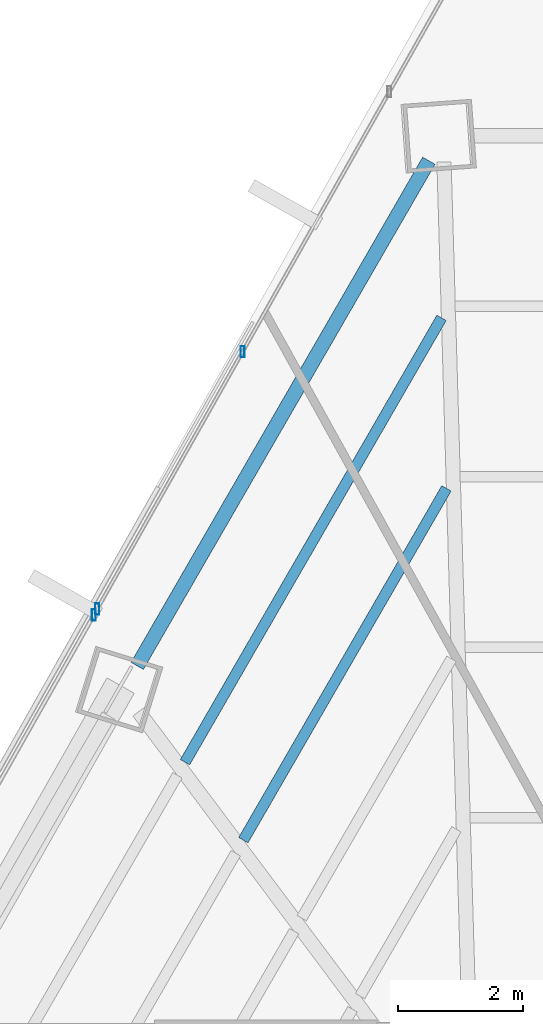
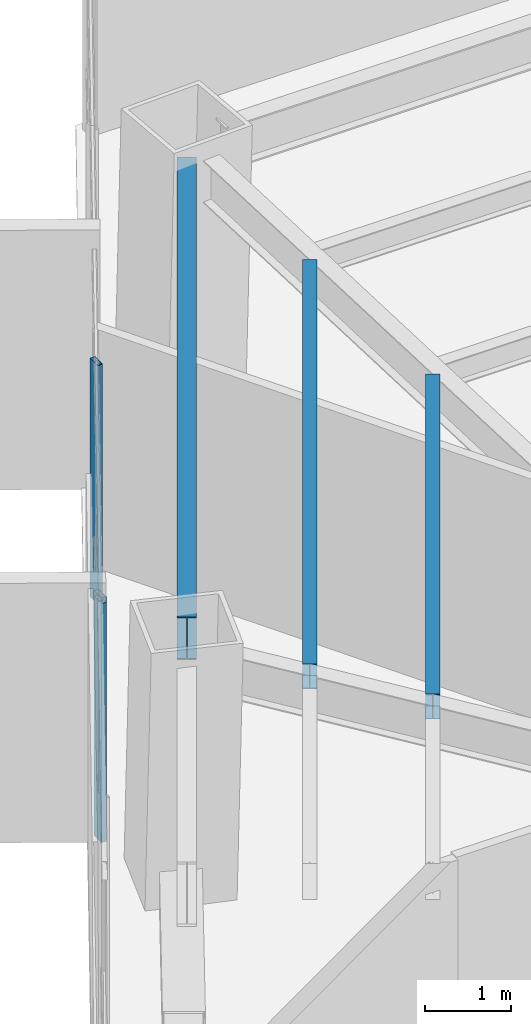
# One storey, part 24 of 36: 3 beams, 3 members, 2 elements without a shape of their own.
"""IFC4 building model written with IfcOpenShell, lengths in metres."""

from ifc_helpers import new_model, si_unit, direction, frame, origin, origin_2d, place, context, subcontext, project, spatial, hollow_rectangle, i_section, extrude, source, transform, mapped, material, material_profile, profile_set, type_object, type_shapes, element, aggregate, save


model = new_model("IFC4")

# Units and contexts
model_context = context("Model", 3, precision=1e-05, world=origin(), true_north=direction((0.0, 1.0)))
body_context = subcontext(model_context, "Body", "Model", "MODEL_VIEW")
ifc_project = project(units=[si_unit("LENGTHUNIT", "METRE"), si_unit("AREAUNIT", "SQUARE_METRE"), si_unit("VOLUMEUNIT", "CUBIC_METRE"), si_unit("PLANEANGLEUNIT", "RADIAN"), si_unit("MASSUNIT", "GRAM", prefix="KILO")], contexts=[model_context])

# Site, building, storey
site_placement = place(None, origin())
site = spatial("IfcSite", under=ifc_project, at=site_placement, CompositionType="ELEMENT")
building_placement = place(site_placement, origin())
building = spatial("IfcBuilding", under=site, at=building_placement, Name="Caelisora Broadcast Tower", CompositionType="ELEMENT")
storey_placement = place(building_placement, frame((0.0, 0.0, 79.85009765625)))
storey = spatial("IfcBuildingStorey", under=building, at=storey_placement, Name="L20", CompositionType="ELEMENT", Elevation=79.85009765625)

# Beams
ifc_material_1 = material(Name="Steel Grade 350 (AS/NZS 3679.1)", Category="steel")
ifc_material_profile_1 = material_profile(ifc_material_1, i_section(OverallWidth=0.22900390625, OverallDepth=0.611572265625, WebThickness=0.011962890625, FlangeThickness=0.01953125, at=origin_2d()), Name="Steel Grade 350 (AS/NZS 3679.1)")
ifc_profile_set_1 = profile_set([ifc_material_profile_1], Name="Steel Grade 350 (AS/NZS 3679.1)")
beam_type_1 = type_object("IfcBeamType", Name="PG03", PredefinedType="BEAM", material=ifc_profile_set_1)
shared_shape_1 = source(origin(), body_context, "Body", "SweptSolid", [
    extrude(i_section(OverallWidth=0.22900390625, OverallDepth=0.611572265625, WebThickness=0.011962890625, FlangeThickness=0.01953125, at=origin_2d()), origin(), (0.0, 0.0, 1.0), 9.336669921875),
])
type_shapes(beam_type_1, [shared_shape_1])
beam_1_placement = place(storey_placement, frame((29.793701171875, 45.971923828125, 3.093994140625), z_axis=(-0.499983508464, -0.866034924968, 0.0), x_axis=(0.866034924968, -0.499983508464, 0.0)))
element("IfcBeam", 1, at=beam_1_placement, inside=storey, type_object=beam_type_1, Name="L20 beam PG03", PredefinedType="BEAM", context=body_context, shape_type="MappedRepresentation", body=[
    mapped(shared_shape_1, transform((0.0, 0.0, 0.0), scale=1.0)),
])
ifc_material_profile_2 = material_profile(ifc_material_1, i_section(OverallWidth=0.172119140625, OverallDepth=0.358642578125, WebThickness=0.008056640625, FlangeThickness=0.012939453125, at=origin_2d()), Name="Steel Grade 350 (AS/NZS 3679.1)")
ifc_profile_set_2 = profile_set([ifc_material_profile_2], Name="Steel Grade 350 (AS/NZS 3679.1)")
beam_type_2 = type_object("IfcBeamType", Name="SB02", PredefinedType="JOIST", material=ifc_profile_set_2)
shared_shape_2 = source(origin(), body_context, "Body", "SweptSolid", [
    extrude(i_section(OverallWidth=0.172119140625, OverallDepth=0.358642578125, WebThickness=0.008056640625, FlangeThickness=0.012939453125, at=origin_2d()), origin(), (0.0, 0.0, 1.0), 6.50244140625),
])
beam_2_placement = place(storey_placement, frame((30.075439453125, 40.72802734375, 3.220703125), z_axis=(-0.499995457651, -0.866028026295, 0.0), x_axis=(0.866028026295, -0.499995457651, 0.0)))
element("IfcBeam", 2, at=beam_2_placement, inside=storey, type_object=beam_type_2, Name="L20 beam SB02", PredefinedType="JOIST", context=body_context, shape_type="MappedRepresentation", body=[
    mapped(shared_shape_2, transform((0.0, 0.0, 0.0), scale=1.0)),
])
shared_shape_3 = source(origin(), body_context, "Body", "SweptSolid", [
    extrude(i_section(OverallWidth=0.172119140625, OverallDepth=0.358642578125, WebThickness=0.008056640625, FlangeThickness=0.012939453125, at=origin_2d()), origin(), (0.0, 0.0, 1.0), 8.21240234375),
])
type_shapes(beam_type_2, [shared_shape_2, shared_shape_3])
beam_3_placement = place(storey_placement, frame((29.99609375, 43.45654296875, 3.220703125), z_axis=(-0.500004666817, -0.866022709379, 0.0), x_axis=(0.866022709379, -0.500004666817, 0.0)))
element("IfcBeam", 3, at=beam_3_placement, inside=storey, type_object=beam_type_2, Name="L20 beam SB02", PredefinedType="JOIST", context=body_context, shape_type="MappedRepresentation", body=[
    mapped(shared_shape_3, transform((0.0, 0.0, 0.0), scale=1.0)),
])

# Curtain wall, member
ifc_material_2 = material(Name="Unitised Aluminium Insulated Shadow-Box Spandrel Curtain Wall", Category="aluminium")
curtain_wall_type_1 = type_object("IfcCurtainWallType", Name="CW-SP1", PredefinedType="NOTDEFINED", material=ifc_material_2)
curtain_wall_1_placement = place(storey_placement, origin())
curtain_wall_1 = element("IfcCurtainWall", 4, at=curtain_wall_1_placement, inside=storey, type_object=curtain_wall_type_1, Name="L20 curtain wall CW-SP1", PredefinedType="NOTDEFINED")
ifc_material_3 = material(Name="Aluminium 6063-T6 Anodised Terracotta Bronze", Category="aluminium")
ifc_material_profile_3 = material_profile(ifc_material_3, hollow_rectangle(XDim=0.06494140625, YDim=0.179931640625, WallThickness=0.00341796875, at=origin_2d()), Name="Aluminium 6063-T6 Anodised Terracotta Bronze")
ifc_profile_set_3 = profile_set([ifc_material_profile_3], Name="Aluminium 6063-T6 Anodised Terracotta Bronze")
member_type = type_object("IfcMemberType", Name="CWM-02", PredefinedType="MULLION", material=ifc_profile_set_3)
shared_shape_4 = source(origin(), body_context, "Body", "SweptSolid", [
    extrude(hollow_rectangle(XDim=0.06494140625, YDim=0.179931640625, WallThickness=0.00341796875, at=origin_2d()), origin(), (0.0, 0.0, 1.0), 3.39990234375),
])
type_shapes(member_type, [shared_shape_4])
member_1_placement = place(storey_placement, frame((24.431884765625, 38.701904296875, 0.0), z_axis=(0.0, 0.0, 1.0), x_axis=(1.0, 0.0, 0.0)))
member_1 = element("IfcMember", 5, at=member_1_placement, type_object=member_type, Name="L20-CW-B10 mullion #3", PredefinedType="MULLION", context=body_context, shape_type="MappedRepresentation", body=[
    mapped(shared_shape_4, transform((0.0, 0.0, 0.0), scale=1.0)),
])
aggregate(curtain_wall_1, [member_1])

# Curtain wall, members
ifc_material_4 = material(Name="Unitised Aluminium and Low-E Glass Curtain Wall", Category="glass")
curtain_wall_type_2 = type_object("IfcCurtainWallType", Name="CW-Z2", PredefinedType="NOTDEFINED", material=ifc_material_4)
curtain_wall_2_placement = place(storey_placement, origin())
curtain_wall_2 = element("IfcCurtainWall", 6, at=curtain_wall_2_placement, inside=storey, type_object=curtain_wall_type_2, Name="L20 curtain wall CW-Z2", PredefinedType="NOTDEFINED")
member_2_placement = place(storey_placement, frame((24.486083984375, 38.797607421875, 0.0), z_axis=(0.0, 0.0, 1.0), x_axis=(1.0, 0.0, 0.0)))
member_2 = element("IfcMember", 7, at=member_2_placement, type_object=member_type, Name="L20-CW-B11 mullion #0", PredefinedType="MULLION", context=body_context, shape_type="MappedRepresentation", body=[
    mapped(shared_shape_4, transform((0.0, 0.0, 0.0), scale=1.0)),
])
member_3_placement = place(storey_placement, frame((26.811279296875, 42.9140625, 0.0), z_axis=(0.0, 0.0, 1.0), x_axis=(1.0, 0.0, 0.0)))
member_3 = element("IfcMember", 8, at=member_3_placement, type_object=member_type, Name="L20-CW-B11 mullion #1", PredefinedType="MULLION", context=body_context, shape_type="MappedRepresentation", body=[
    mapped(shared_shape_4, transform((0.0, 0.0, 0.0), scale=1.0)),
])
aggregate(curtain_wall_2, [member_2, member_3])

save(model, "model.ifc")
